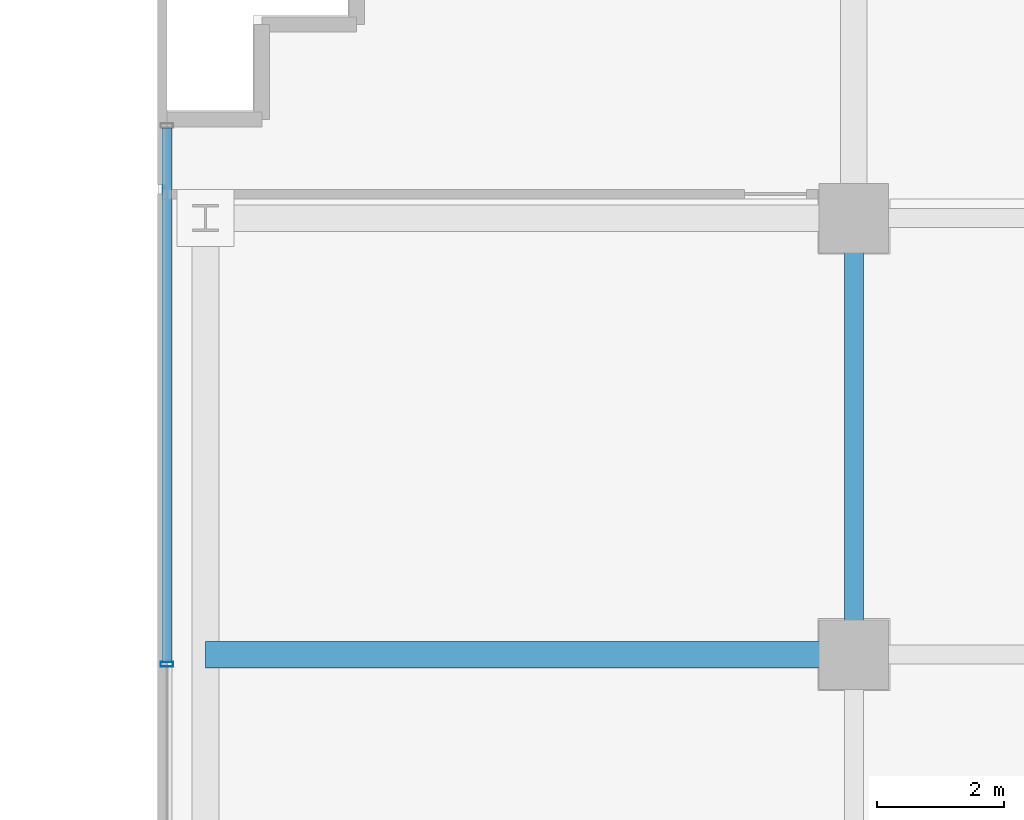
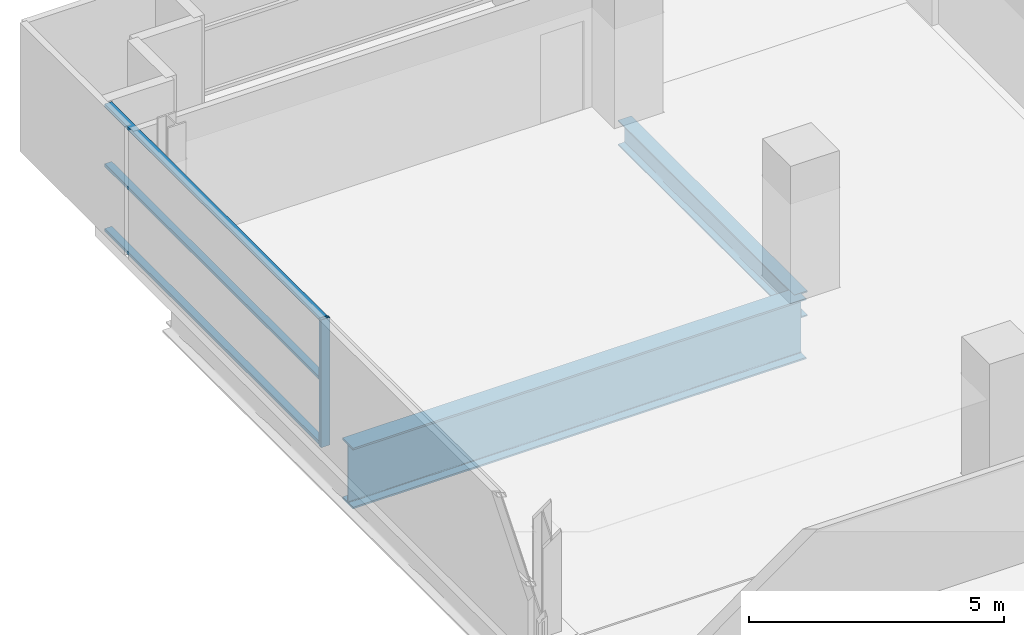
# One storey, part 7 of 32: 4 members, 2 beams, 1 element without a shape of its own.
"""IFC4 building model written with IfcOpenShell, lengths in metres."""

from ifc_helpers import new_model, si_unit, direction, frame, origin, origin_2d, place, context, subcontext, project, spatial, hollow_rectangle, i_section, extrude, source, transform, mapped, material, layer, layer_set, material_profile, profile_set, type_object, element, aggregate, save


model = new_model("IFC4")

# Units and contexts
model_context = context("Model", 3, precision=1e-05, world=origin(), true_north=direction((0.0, 1.0)))
body_context = subcontext(model_context, "Body", "Model", "MODEL_VIEW")
ifc_project = project(units=[si_unit("LENGTHUNIT", "METRE"), si_unit("AREAUNIT", "SQUARE_METRE"), si_unit("VOLUMEUNIT", "CUBIC_METRE"), si_unit("PLANEANGLEUNIT", "RADIAN"), si_unit("MASSUNIT", "GRAM", prefix="KILO")], contexts=[model_context])

# Site, building, storey
site_placement = place(None, origin())
site = spatial("IfcSite", under=ifc_project, at=site_placement, CompositionType="ELEMENT")
building_placement = place(site_placement, origin())
building = spatial("IfcBuilding", under=site, at=building_placement, Name="Zarnakvel Exchange Tower", CompositionType="ELEMENT")
storey_placement = place(building_placement, frame((0.0, 0.0, 27.39990234375)))
storey = spatial("IfcBuildingStorey", under=building, at=storey_placement, Name="L06", CompositionType="ELEMENT", Elevation=27.39990234375)

# Beams
ifc_material_1 = material(Name="Steel S355", Category="steel")
ifc_material_profile_1 = material_profile(ifc_material_1, i_section(OverallWidth=0.300048828125, OverallDepth=0.60009765625, WebThickness=0.015380859375, FlangeThickness=0.030029296875, FilletRadius=0.027099609375, at=origin_2d()))
ifc_profile_set_1 = profile_set([ifc_material_profile_1], Name="Steel S355")
beam_type_1 = type_object("IfcBeamType", Name="G-04", PredefinedType="BEAM", material=ifc_profile_set_1)
beam_1_placement = place(storey_placement, frame((-21.60009765625, 6.60009765625, -0.5498046875), z_axis=(0.0, 1.0, 0.0), x_axis=(-1.0, 0.0, 0.0)))
element("IfcBeam", 1, at=beam_1_placement, inside=storey, type_object=beam_type_1, Name="L06 Tower N-S Frame Beam", PredefinedType="BEAM", context=body_context, shape_type="SweptSolid", body=[
    extrude(i_section(OverallWidth=0.300048828125, OverallDepth=0.60009765625, WebThickness=0.015380859375, FlangeThickness=0.030029296875, FilletRadius=0.027099609375, at=origin_2d()), origin(), (0.0, 0.0, 1.0), 6.89990234375),
])
ifc_material_2 = material(Name="Steel S460", Category="steel")
ifc_material_profile_2 = material_profile(ifc_material_2, i_section(OverallWidth=0.419921875, OverallDepth=1.449951171875, WebThickness=0.02392578125, FlangeThickness=0.0400390625, FilletRadius=0.030029296875, at=origin_2d()))
ifc_profile_set_2 = profile_set([ifc_material_profile_2], Name="Steel S460")
beam_type_2 = type_object("IfcBeamType", Name="TG-01", PredefinedType="BEAM", material=ifc_profile_set_2)
beam_2_placement = place(storey_placement, frame((-31.85009765625, 6.60009765625, -0.974853515625), z_axis=(1.0, 0.0, 0.0), x_axis=(0.0, 1.0, 0.0)))
element("IfcBeam", 2, at=beam_2_placement, inside=storey, type_object=beam_type_2, Name="L06 Wing Continuous Transfer Girder West", PredefinedType="BEAM", context=body_context, shape_type="SweptSolid", body=[
    extrude(i_section(OverallWidth=0.419921875, OverallDepth=1.449951171875, WebThickness=0.02392578125, FlangeThickness=0.0400390625, FilletRadius=0.030029296875, at=origin_2d()), origin(), (0.0, 0.0, 1.0), 10.25),
])

# Curtain wall, members
ifc_material_3 = material(Name="Architectural Bronze Anodised Aluminium", Category="aluminium")
ifc_layer = layer(ifc_material_3, 0.199951171875)
ifc_layer_set = layer_set([ifc_layer], Name="Architectural Bronze Anodised Aluminium")
curtain_wall_type = type_object("IfcCurtainWallType", Name="CW-04", PredefinedType="NOTDEFINED", material=ifc_layer_set)
curtain_wall_placement = place(storey_placement, origin())
curtain_wall = element("IfcCurtainWall", 3, at=curtain_wall_placement, inside=storey, type_object=curtain_wall_type, Name="L06 Curtain Wall CW-L06-WN (CW-04)", PredefinedType="NOTDEFINED")
ifc_material_profile_3 = material_profile(ifc_material_3, hollow_rectangle(XDim=0.199951171875, YDim=0.074951171875, WallThickness=0.0048828125, at=origin_2d()))
ifc_profile_set_3 = profile_set([ifc_material_profile_3], Name="Architectural Bronze Anodised Aluminium")
member_type_1 = type_object("IfcMemberType", Name="CWM-04", PredefinedType="MULLION", material=ifc_profile_set_3)
shared_shape_1 = source(origin(), body_context, "Body", "SweptSolid", [
    extrude(hollow_rectangle(XDim=0.199951171875, YDim=0.074951171875, WallThickness=0.0048828125, at=origin_2d()), origin(), (0.0, 0.0, 1.0), 3.05517578125),
])
member_1_placement = place(storey_placement, frame((-32.4599609375, 6.449951171875, 0.0), z_axis=(0.0, 0.0, 1.0), x_axis=(-1.0, 0.0, 0.0)))
member_1 = element("IfcMember", 4, at=member_1_placement, type_object=member_type_1, Name="CW-04 mullion 2", PredefinedType="MULLION", context=body_context, shape_type="MappedRepresentation", body=[
    mapped(shared_shape_1, transform((0.0, 0.0, 0.0), x_axis=(1.0, 0.0, 0.0), y_axis=(0.0, 1.0, 0.0), z_axis=(0.0, 0.0, 1.0), scale=1.0)),
])
ifc_material_profile_4 = material_profile(ifc_material_3, hollow_rectangle(XDim=0.159912109375, YDim=0.074951171875, WallThickness=0.00390625, at=origin_2d()))
ifc_profile_set_4 = profile_set([ifc_material_profile_4], Name="Architectural Bronze Anodised Aluminium")
member_type_2 = type_object("IfcMemberType", Name="CWT-04", PredefinedType="USERDEFINED", material=ifc_profile_set_4)
shared_shape_2 = source(origin(), body_context, "Body", "SweptSolid", [
    extrude(hollow_rectangle(XDim=0.159912109375, YDim=0.074951171875, WallThickness=0.00390625, at=origin_2d()), origin(), (0.0, 0.0, 1.0), 8.4375),
])
member_2_placement = place(storey_placement, frame((-32.4599609375, 6.487548828125, 0.03759765625), z_axis=(0.0, 1.0, 0.0), x_axis=(-1.0, 0.0, 0.0)))
member_2 = element("IfcMember", 5, at=member_2_placement, type_object=member_type_2, Name="CW-04 transom 2.1", ObjectType="TRANSOM", PredefinedType="USERDEFINED", context=body_context, shape_type="MappedRepresentation", body=[
    mapped(shared_shape_2, transform((0.0, 0.0, 0.0), x_axis=(1.0, 0.0, 0.0), y_axis=(0.0, 1.0, 0.0), z_axis=(0.0, 0.0, 1.0), scale=1.0)),
])
member_3_placement = place(storey_placement, frame((-32.4599609375, 6.487548828125, 1.588623046875), z_axis=(0.0, 1.0, 0.0), x_axis=(-1.0, 0.0, 0.0)))
member_3 = element("IfcMember", 6, at=member_3_placement, type_object=member_type_2, Name="CW-04 transom 2.2", ObjectType="TRANSOM", PredefinedType="USERDEFINED", context=body_context, shape_type="MappedRepresentation", body=[
    mapped(shared_shape_2, transform((0.0, 0.0, 0.0), x_axis=(1.0, 0.0, 0.0), y_axis=(0.0, 1.0, 0.0), z_axis=(0.0, 0.0, 1.0), scale=1.0)),
])
member_4_placement = place(storey_placement, frame((-32.4599609375, 6.487548828125, 3.017578125), z_axis=(0.0, 1.0, 0.0), x_axis=(-1.0, 0.0, 0.0)))
member_4 = element("IfcMember", 7, at=member_4_placement, type_object=member_type_2, Name="CW-04 transom 2.3", ObjectType="TRANSOM", PredefinedType="USERDEFINED", context=body_context, shape_type="MappedRepresentation", body=[
    mapped(shared_shape_2, transform((0.0, 0.0, 0.0), x_axis=(1.0, 0.0, 0.0), y_axis=(0.0, 1.0, 0.0), z_axis=(0.0, 0.0, 1.0), scale=1.0)),
])
aggregate(curtain_wall, [member_1, member_2, member_3, member_4])

save(model, "model.ifc")
